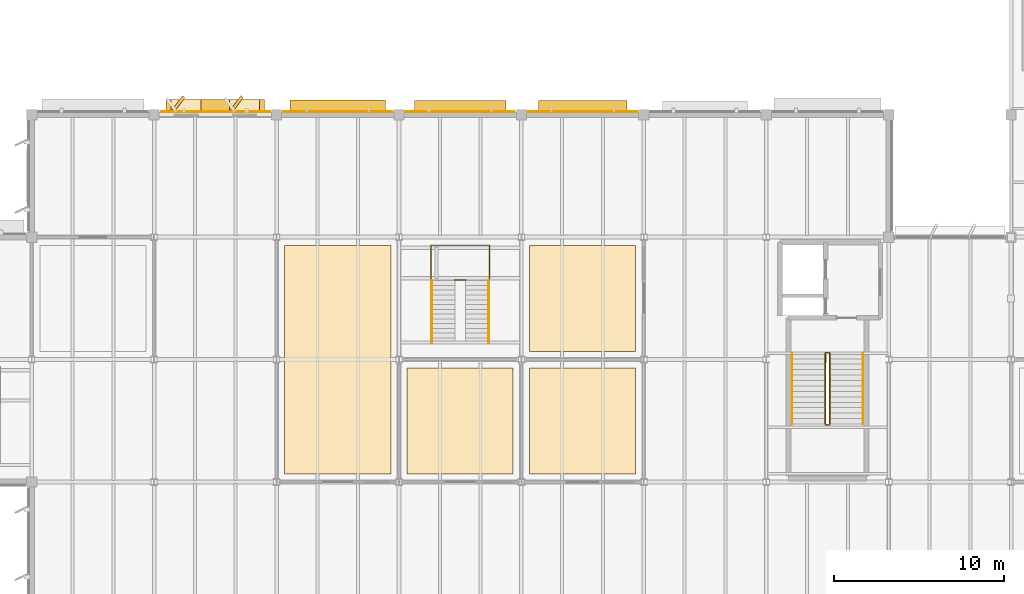
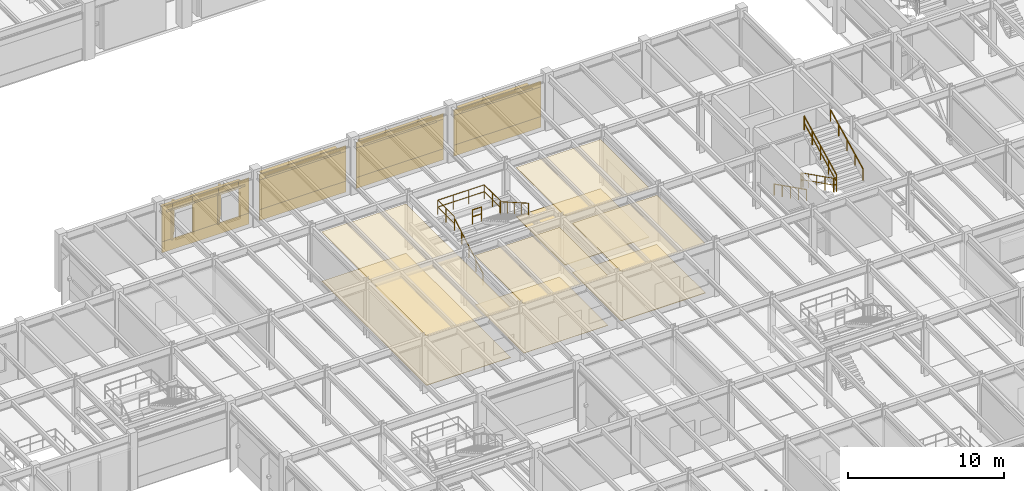
# One storey, part 83 of 92: 26 coverings, 10 railings, 4 shading devices.
"""IFC4 building model written with IfcOpenShell, lengths in metres."""

from ifc_helpers import new_model, si_unit, direction, frame, frame_2d, origin, origin_2d, place, context, subcontext, project, spatial, polyline, rectangle, circle, outline, extrude, material, layer, layer_set, type_object, element, save


model = new_model("IFC4")

# Units and contexts
model_context = context("Model", 3, precision=1e-05, world=origin(), true_north=direction((0.0, 1.0)))
body_context = subcontext(model_context, "Body", "Model", "MODEL_VIEW")
ifc_project = project(units=[si_unit("LENGTHUNIT", "METRE"), si_unit("AREAUNIT", "SQUARE_METRE"), si_unit("VOLUMEUNIT", "CUBIC_METRE"), si_unit("PLANEANGLEUNIT", "RADIAN"), si_unit("MASSUNIT", "GRAM", prefix="KILO")], contexts=[model_context])

# Site, building, storey
site_placement = place(None, origin())
site = spatial("IfcSite", under=ifc_project, at=site_placement, CompositionType="ELEMENT")
building_placement = place(site_placement, origin())
building = spatial("IfcBuilding", under=site, at=building_placement, Name="Sillqori Civic Hall", CompositionType="ELEMENT")
storey_placement = place(building_placement, frame((0.0, 0.0, 5.39990234375)))
storey = spatial("IfcBuildingStorey", under=building, at=storey_placement, Name="L02", CompositionType="ELEMENT", Elevation=5.39990234375)

# Coverings
ifc_material_1 = material(Name="Acoustic Gypsum Board Assembly 34", Category="gypsum")
ifc_layer_1 = layer(ifc_material_1, 0.033935546875)
ifc_layer_set_1 = layer_set([ifc_layer_1], Name="Acoustic Gypsum Board Assembly 34")
covering_type_1 = type_object("IfcCoveringType", Name="COV-CEIL-G34", PredefinedType="CEILING", material=ifc_layer_set_1)
covering_1_placement = place(storey_placement, frame((0.0, 0.0, 3.8671875)))
element("IfcCovering", 1, at=covering_1_placement, inside=storey, type_object=covering_type_1, Name="Public Notary and Apostille Verification Room L02-10 acoustic ceiling", PredefinedType="CEILING", context=body_context, shape_type="SweptSolid", body=[
    extrude(outline(polyline([(94.080078125, 36.47998046875), (100.320068359375, 36.47998046875), (100.320068359375, 42.719970703125), (94.080078125, 42.719970703125), (94.080078125, 36.47998046875)])), origin(), (0.0, 0.0, 1.0), 0.033935546875),
])
ifc_material_2 = material(Name="Perforated Acoustic Gypsum Board Ceiling", Category="gypsum")
ifc_layer_2 = layer(ifc_material_2, 0.030029296875)
ifc_layer_set_2 = layer_set([ifc_layer_2], Name="Perforated Acoustic Gypsum Board Ceiling")
covering_type_2 = type_object("IfcCoveringType", Name="COV-CEIL-GYP", PredefinedType="CEILING", material=ifc_layer_set_2)
covering_2_placement = place(storey_placement, frame((0.0, 0.0, 3.87109375)))
element("IfcCovering", 2, at=covering_2_placement, inside=storey, type_object=covering_type_2, Name="Public Notary and Apostille Verification Room acoustic ceiling", PredefinedType="CEILING", context=body_context, shape_type="SweptSolid", body=[
    extrude(outline(polyline([(79.679931640625, 36.47998046875), (85.919921875, 36.47998046875), (85.919921875, 49.919921875), (79.679931640625, 49.919921875), (79.679931640625, 36.47998046875)])), origin(), (0.0, 0.0, 1.0), 0.030029296875),
])
ifc_material_3 = material(Name="Mineral-Fibre High-NRC Tile Ceiling", Category="gypsum")
ifc_layer_3 = layer(ifc_material_3, 0.02392578125)
ifc_layer_set_3 = layer_set([ifc_layer_3], Name="Mineral-Fibre High-NRC Tile Ceiling")
covering_type_3 = type_object("IfcCoveringType", Name="COV-CEIL-MIN", PredefinedType="CEILING", material=ifc_layer_set_3)
covering_3_placement = place(storey_placement, frame((0.0, 0.0, 3.877197265625)))
element("IfcCovering", 3, at=covering_3_placement, inside=storey, type_object=covering_type_3, Name="Building Permits Technical Review Counter L02-07 acoustic ceiling", PredefinedType="CEILING", context=body_context, shape_type="SweptSolid", body=[
    extrude(outline(polyline([(86.8798828125, 36.47998046875), (93.1201171875, 36.47998046875), (93.1201171875, 42.719970703125), (86.8798828125, 42.719970703125), (86.8798828125, 36.47998046875)])), origin(), (0.0, 0.0, 1.0), 0.02392578125),
])
ifc_material_4 = material(Name="Andean Cedar Slatted Baffle 46", Category="timber")
ifc_layer_4 = layer(ifc_material_4, 0.0458984375)
ifc_layer_set_4 = layer_set([ifc_layer_4], Name="Andean Cedar Slatted Baffle 46")
covering_type_4 = type_object("IfcCoveringType", Name="COV-CEIL-T46", PredefinedType="CEILING", material=ifc_layer_set_4)
covering_4_placement = place(storey_placement, frame((0.0, 0.0, 3.85498046875)))
element("IfcCovering", 4, at=covering_4_placement, inside=storey, type_object=covering_type_4, Name="Citizens Tax and Property Assessment Suite L02-11 acoustic ceiling", PredefinedType="CEILING", context=body_context, shape_type="SweptSolid", body=[
    extrude(outline(polyline([(94.080078125, 43.679931640625), (100.320068359375, 43.679931640625), (100.320068359375, 49.919921875), (94.080078125, 49.919921875), (94.080078125, 43.679931640625)])), origin(), (0.0, 0.0, 1.0), 0.046142578125),
])
ifc_material_5 = material(Name="Cochabamba Honed Limestone Cladding", Category="masonry")
ifc_layer_5 = layer(ifc_material_5, 0.044921875)
ifc_layer_set_5 = layer_set([ifc_layer_5], Name="Cochabamba Honed Limestone Cladding")
covering_type_5 = type_object("IfcCoveringType", Name="COV-CLAD-LIME", PredefinedType="CLADDING", material=ifc_layer_set_5)
covering_5_placement = place(storey_placement, frame((72.3798828125, 57.780029296875, 0.0400390625), z_axis=(0.0, 0.0, 1.0), x_axis=(1.0, 0.0, 0.0)))
element("IfcCovering", 5, at=covering_5_placement, inside=storey, type_object=covering_type_5, Name="L02 limestone spandrel cladding L02-10-07-N", PredefinedType="CLADDING", context=body_context, shape_type="SweptSolid", body=[
    extrude(rectangle(XDim=6.440185546875, YDim=0.044921875, at=frame_2d((3.22021484375, 0.0))), origin(), (0.0, 0.0, 1.0), 0.860107421875),
])
covering_6_placement = place(storey_placement, frame((72.3798828125, 57.780029296875, 3.22021484375), z_axis=(0.0, 0.0, 1.0), x_axis=(1.0, 0.0, 0.0)))
element("IfcCovering", 6, at=covering_6_placement, inside=storey, type_object=covering_type_5, Name="L02 limestone frieze cladding L02-10-07-N", PredefinedType="CLADDING", context=body_context, shape_type="SweptSolid", body=[
    extrude(rectangle(XDim=6.440185546875, YDim=0.044921875, at=frame_2d((3.22021484375, 0.0))), origin(), (0.0, 0.0, 1.0), 0.43798828125),
])
covering_7_placement = place(storey_placement, frame((72.3798828125, 57.780029296875, 0.900146484375), z_axis=(0.0, 0.0, 1.0), x_axis=(1.0, 0.0, 0.0)))
element("IfcCovering", 7, at=covering_7_placement, inside=storey, type_object=covering_type_5, Name="L02 Wedge Hall limestone pier cladding L02-10-07-N.1", PredefinedType="CLADDING", context=body_context, shape_type="SweptSolid", body=[
    extrude(rectangle(XDim=0.76416015625, YDim=0.044921875, at=frame_2d((0.382080078125, 0.0))), origin(), (0.0, 0.0, 1.0), 2.758056640625),
])
covering_8_placement = place(storey_placement, frame((74.6240234375, 57.780029296875, 0.900146484375), z_axis=(0.0, 0.0, 1.0), x_axis=(1.0, 0.0, 0.0)))
element("IfcCovering", 8, at=covering_8_placement, inside=storey, type_object=covering_type_5, Name="L02 Wedge Hall limestone pier cladding L02-10-07-N.2", PredefinedType="CLADDING", context=body_context, shape_type="SweptSolid", body=[
    extrude(rectangle(XDim=1.951904296875, YDim=0.044921875, at=frame_2d((0.97607421875, 0.0))), origin(), (0.0, 0.0, 1.0), 2.758056640625),
])
covering_9_placement = place(storey_placement, frame((78.055908203125, 57.780029296875, 0.900146484375), z_axis=(0.0, 0.0, 1.0), x_axis=(1.0, 0.0, 0.0)))
element("IfcCovering", 9, at=covering_9_placement, inside=storey, type_object=covering_type_5, Name="L02 Wedge Hall limestone pier cladding L02-10-07-N.3", PredefinedType="CLADDING", context=body_context, shape_type="SweptSolid", body=[
    extrude(rectangle(XDim=0.76416015625, YDim=0.044921875, at=frame_2d((0.382080078125, 0.0))), origin(), (0.0, 0.0, 1.0), 2.758056640625),
])
covering_10_placement = place(storey_placement, frame((73.06396484375, 57.739990234375, 0.830078125), z_axis=(0.0, 0.0, 1.0), x_axis=(0.587805596445, 0.809002213092, 0.0)))
element("IfcCovering", 10, at=covering_10_placement, inside=storey, type_object=covering_type_5, Name="Sawtooth limestone angled reveal cheek L02-10-07-N.1", PredefinedType="CLADDING", context=body_context, shape_type="SweptSolid", body=[
    extrude(rectangle(XDim=1.150146484375, YDim=0.179931640625, at=frame_2d((0.5751953125, 0.0))), origin(), (0.0, 0.0, 1.0), 2.39990234375),
])
covering_11_placement = place(storey_placement, frame((73.00390625, 58.1201171875, 3.090087890625), z_axis=(0.0, 0.0, 1.0), x_axis=(1.0, 0.0, 0.0)))
element("IfcCovering", 11, at=covering_11_placement, inside=storey, type_object=covering_type_5, Name="Sawtooth limestone window hood L02-10-07-N.1", PredefinedType="CLADDING", context=body_context, shape_type="SweptSolid", body=[
    extrude(rectangle(XDim=1.760009765625, YDim=0.780029296875, at=frame_2d((0.8798828125, 0.0))), origin(), (0.0, 0.0, 1.0), 0.139892578125),
])
covering_12_placement = place(storey_placement, frame((76.49609375, 57.739990234375, 0.830078125), z_axis=(0.0, 0.0, 1.0), x_axis=(0.587805596445, 0.809002213092, 0.0)))
element("IfcCovering", 12, at=covering_12_placement, inside=storey, type_object=covering_type_5, Name="Sawtooth limestone angled reveal cheek L02-10-07-N.2", PredefinedType="CLADDING", context=body_context, shape_type="SweptSolid", body=[
    extrude(rectangle(XDim=1.150146484375, YDim=0.179931640625, at=frame_2d((0.5751953125, 0.0))), origin(), (0.0, 0.0, 1.0), 2.39990234375),
])
covering_13_placement = place(storey_placement, frame((76.43603515625, 58.1201171875, 3.090087890625), z_axis=(0.0, 0.0, 1.0), x_axis=(1.0, 0.0, 0.0)))
element("IfcCovering", 13, at=covering_13_placement, inside=storey, type_object=covering_type_5, Name="Sawtooth limestone window hood L02-10-07-N.2", PredefinedType="CLADDING", context=body_context, shape_type="SweptSolid", body=[
    extrude(rectangle(XDim=1.760009765625, YDim=0.780029296875, at=frame_2d((0.8798828125, 0.0))), origin(), (0.0, 0.0, 1.0), 0.139892578125),
])
covering_14_placement = place(storey_placement, frame((79.580078125, 57.780029296875, 0.0400390625), z_axis=(0.0, 0.0, 1.0), x_axis=(1.0, 0.0, 0.0)))
element("IfcCovering", 14, at=covering_14_placement, inside=storey, type_object=covering_type_5, Name="L02 limestone spandrel cladding L02-11-07-N", PredefinedType="CLADDING", context=body_context, shape_type="SweptSolid", body=[
    extrude(rectangle(XDim=6.43994140625, YDim=0.044921875, at=frame_2d((3.219970703125, 0.0))), origin(), (0.0, 0.0, 1.0), 0.860107421875),
])
covering_15_placement = place(storey_placement, frame((79.580078125, 57.780029296875, 3.22021484375), z_axis=(0.0, 0.0, 1.0), x_axis=(1.0, 0.0, 0.0)))
element("IfcCovering", 15, at=covering_15_placement, inside=storey, type_object=covering_type_5, Name="L02 limestone frieze cladding L02-11-07-N", PredefinedType="CLADDING", context=body_context, shape_type="SweptSolid", body=[
    extrude(rectangle(XDim=6.43994140625, YDim=0.044921875, at=frame_2d((3.219970703125, 0.0))), origin(), (0.0, 0.0, 1.0), 0.43798828125),
])
covering_16_placement = place(storey_placement, frame((79.580078125, 57.780029296875, 0.900146484375), z_axis=(0.0, 0.0, 1.0), x_axis=(1.0, 0.0, 0.0)))
element("IfcCovering", 16, at=covering_16_placement, inside=storey, type_object=covering_type_5, Name="L02 Wedge Hall limestone pier cladding L02-11-07-N.1", PredefinedType="CLADDING", context=body_context, shape_type="SweptSolid", body=[
    extrude(rectangle(XDim=6.43994140625, YDim=0.044921875, at=frame_2d((3.219970703125, 0.0))), origin(), (0.0, 0.0, 1.0), 2.758056640625),
])
covering_17_placement = place(storey_placement, frame((86.780029296875, 57.780029296875, 0.0400390625), z_axis=(0.0, 0.0, 1.0), x_axis=(1.0, 0.0, 0.0)))
element("IfcCovering", 17, at=covering_17_placement, inside=storey, type_object=covering_type_5, Name="L02 limestone spandrel cladding L02-12-07-N", PredefinedType="CLADDING", context=body_context, shape_type="SweptSolid", body=[
    extrude(rectangle(XDim=6.43994140625, YDim=0.044921875, at=frame_2d((3.219970703125, 0.0))), origin(), (0.0, 0.0, 1.0), 0.860107421875),
])
covering_18_placement = place(storey_placement, frame((86.780029296875, 57.780029296875, 3.22021484375), z_axis=(0.0, 0.0, 1.0), x_axis=(1.0, 0.0, 0.0)))
element("IfcCovering", 18, at=covering_18_placement, inside=storey, type_object=covering_type_5, Name="L02 limestone frieze cladding L02-12-07-N", PredefinedType="CLADDING", context=body_context, shape_type="SweptSolid", body=[
    extrude(rectangle(XDim=6.43994140625, YDim=0.044921875, at=frame_2d((3.219970703125, 0.0))), origin(), (0.0, 0.0, 1.0), 0.43798828125),
])
covering_19_placement = place(storey_placement, frame((86.780029296875, 57.780029296875, 0.900146484375), z_axis=(0.0, 0.0, 1.0), x_axis=(1.0, 0.0, 0.0)))
element("IfcCovering", 19, at=covering_19_placement, inside=storey, type_object=covering_type_5, Name="L02 Wedge Hall limestone pier cladding L02-12-07-N.1", PredefinedType="CLADDING", context=body_context, shape_type="SweptSolid", body=[
    extrude(rectangle(XDim=6.43994140625, YDim=0.044921875, at=frame_2d((3.219970703125, 0.0))), origin(), (0.0, 0.0, 1.0), 2.758056640625),
])
covering_20_placement = place(storey_placement, frame((93.97998046875, 57.780029296875, 0.0400390625), z_axis=(0.0, 0.0, 1.0), x_axis=(1.0, 0.0, 0.0)))
element("IfcCovering", 20, at=covering_20_placement, inside=storey, type_object=covering_type_5, Name="L02 limestone spandrel cladding L02-13-07-N", PredefinedType="CLADDING", context=body_context, shape_type="SweptSolid", body=[
    extrude(rectangle(XDim=6.43994140625, YDim=0.044921875, at=frame_2d((3.219970703125, 0.0))), origin(), (0.0, 0.0, 1.0), 0.860107421875),
])
covering_21_placement = place(storey_placement, frame((93.97998046875, 57.780029296875, 3.22021484375), z_axis=(0.0, 0.0, 1.0), x_axis=(1.0, 0.0, 0.0)))
element("IfcCovering", 21, at=covering_21_placement, inside=storey, type_object=covering_type_5, Name="L02 limestone frieze cladding L02-13-07-N", PredefinedType="CLADDING", context=body_context, shape_type="SweptSolid", body=[
    extrude(rectangle(XDim=6.43994140625, YDim=0.044921875, at=frame_2d((3.219970703125, 0.0))), origin(), (0.0, 0.0, 1.0), 0.43798828125),
])
covering_22_placement = place(storey_placement, frame((93.97998046875, 57.780029296875, 0.900146484375), z_axis=(0.0, 0.0, 1.0), x_axis=(1.0, 0.0, 0.0)))
element("IfcCovering", 22, at=covering_22_placement, inside=storey, type_object=covering_type_5, Name="L02 Wedge Hall limestone pier cladding L02-13-07-N.1", PredefinedType="CLADDING", context=body_context, shape_type="SweptSolid", body=[
    extrude(rectangle(XDim=6.43994140625, YDim=0.044921875, at=frame_2d((3.219970703125, 0.0))), origin(), (0.0, 0.0, 1.0), 2.758056640625),
])
ifc_material_6 = material(Name="Slip-Resistant R11 Porcelain Tile", Category="ceramic")
ifc_layer_6 = layer(ifc_material_6, 0.02001953125)
ifc_layer_set_6 = layer_set([ifc_layer_6], Name="Slip-Resistant R11 Porcelain Tile")
covering_type_6 = type_object("IfcCoveringType", Name="COV-FLR-POR", PredefinedType="FLOORING", material=ifc_layer_set_6)
covering_23_placement = place(storey_placement, origin())
element("IfcCovering", 23, at=covering_23_placement, inside=storey, type_object=covering_type_6, Name="Building Permits Technical Review Counter L02-07 floor finish", PredefinedType="FLOORING", context=body_context, shape_type="SweptSolid", body=[
    extrude(outline(polyline([(86.8798828125, 36.47998046875), (93.1201171875, 36.47998046875), (93.1201171875, 42.719970703125), (86.8798828125, 42.719970703125), (86.8798828125, 36.47998046875)])), origin(), (0.0, 0.0, 1.0), 0.02001953125),
])
ifc_material_7 = material(Name="Honed Comanche Sandstone Paving 44", Category="masonry")
ifc_layer_7 = layer(ifc_material_7, 0.0439453125)
ifc_layer_set_7 = layer_set([ifc_layer_7], Name="Honed Comanche Sandstone Paving 44")
covering_type_7 = type_object("IfcCoveringType", Name="COV-FLR-S44", PredefinedType="FLOORING", material=ifc_layer_set_7)
covering_24_placement = place(storey_placement, origin())
element("IfcCovering", 24, at=covering_24_placement, inside=storey, type_object=covering_type_7, Name="Public Notary and Apostille Verification Room L02-10 floor finish", PredefinedType="FLOORING", context=body_context, shape_type="SweptSolid", body=[
    extrude(outline(polyline([(94.080078125, 36.47998046875), (100.320068359375, 36.47998046875), (100.320068359375, 42.719970703125), (94.080078125, 42.719970703125), (94.080078125, 36.47998046875)])), origin(), (0.0, 0.0, 1.0), 0.044189453125),
])
ifc_material_8 = material(Name="Thick Ceremonial Limestone Flagstone 50", Category="masonry")
ifc_layer_8 = layer(ifc_material_8, 0.050048828125)
ifc_layer_set_8 = layer_set([ifc_layer_8], Name="Thick Ceremonial Limestone Flagstone 50")
covering_type_8 = type_object("IfcCoveringType", Name="COV-FLR-S50", PredefinedType="FLOORING", material=ifc_layer_set_8)
covering_25_placement = place(storey_placement, origin())
element("IfcCovering", 25, at=covering_25_placement, inside=storey, type_object=covering_type_8, Name="Citizens Tax and Property Assessment Suite L02-11 floor finish", PredefinedType="FLOORING", context=body_context, shape_type="SweptSolid", body=[
    extrude(outline(polyline([(94.080078125, 43.679931640625), (100.320068359375, 43.679931640625), (100.320068359375, 49.919921875), (94.080078125, 49.919921875), (94.080078125, 43.679931640625)])), origin(), (0.0, 0.0, 1.0), 0.050048828125),
])
ifc_material_9 = material(Name="Honed Cochabamba Limestone Terrazzo", Category="masonry")
ifc_layer_9 = layer(ifc_material_9, 0.031982421875)
ifc_layer_set_9 = layer_set([ifc_layer_9], Name="Honed Cochabamba Limestone Terrazzo")
covering_type_9 = type_object("IfcCoveringType", Name="COV-FLR-TRZ", PredefinedType="FLOORING", material=ifc_layer_set_9)
covering_26_placement = place(storey_placement, origin())
element("IfcCovering", 26, at=covering_26_placement, inside=storey, type_object=covering_type_9, Name="Public Notary and Apostille Verification Room floor finish", PredefinedType="FLOORING", context=body_context, shape_type="SweptSolid", body=[
    extrude(outline(polyline([(79.679931640625, 36.47998046875), (85.919921875, 36.47998046875), (85.919921875, 49.919921875), (79.679931640625, 49.919921875), (79.679931640625, 36.47998046875)])), origin(), (0.0, 0.0, 1.0), 0.031982421875),
])

# Railings
ifc_material_10 = material(Name="Brushed Stainless Steel 316 Handrail", Category="steel")
ifc_layer_10 = layer(ifc_material_10, 0.044921875)
ifc_layer_set_10 = layer_set([ifc_layer_10], Name="Brushed Stainless Steel 316 Handrail")
railing_type_1 = type_object("IfcRailingType", Name="RLG-CORE-092", PredefinedType="HANDRAIL", material=ifc_layer_set_10)
railing_1_placement = place(storey_placement, frame((109.510009765625, 43.570068359375, 0.160888671875)))
element("IfcRailing", 27, at=railing_1_placement, inside=storey, type_object=railing_type_1, Name="L02 ST-03 stair handrail 1", PredefinedType="HANDRAIL", context=body_context, shape_type="SweptSolid", body=[
    extrude(circle(Radius=0.02392578125, at=origin_2d()), frame((0.0, 0.0, 0.8759765625), z_axis=(0.0, -0.893649669291, 0.448765271134), x_axis=(1.0, 0.0, 0.0)), (0.0, 0.0, 1.0), 4.6552734375),
    extrude(circle(Radius=0.02099609375, at=origin_2d()), origin(), (0.0, 0.0, 1.0), 0.851806640625),
    extrude(circle(Radius=0.02099609375, at=origin_2d()), frame((0.0, -1.0400390625, 0.522216796875)), (0.0, 0.0, 1.0), 0.851806640625),
    extrude(circle(Radius=0.02099609375, at=origin_2d()), frame((0.0, -2.080078125, 1.04443359375)), (0.0, 0.0, 1.0), 0.851806640625),
    extrude(circle(Radius=0.02099609375, at=origin_2d()), frame((0.0, -3.1201171875, 1.56689453125)), (0.0, 0.0, 1.0), 0.851806640625),
    extrude(circle(Radius=0.02099609375, at=origin_2d()), frame((0.0, -4.16015625, 2.089111328125)), (0.0, 0.0, 1.0), 0.851806640625),
])
railing_2_placement = place(storey_placement, frame((113.68994140625, 39.409912109375, 2.410888671875)))
element("IfcRailing", 28, at=railing_2_placement, inside=storey, type_object=railing_type_1, Name="L02 ST-03 stair handrail 2", PredefinedType="HANDRAIL", context=body_context, shape_type="SweptSolid", body=[
    extrude(circle(Radius=0.02392578125, at=origin_2d()), frame((0.0, 0.0, 0.8759765625), z_axis=(0.0, 0.893649669291, 0.448765271134), x_axis=(-1.0, 0.0, 0.0)), (0.0, 0.0, 1.0), 4.6552734375),
    extrude(circle(Radius=0.02099609375, at=origin_2d()), origin(), (0.0, 0.0, 1.0), 0.851806640625),
    extrude(circle(Radius=0.02099609375, at=origin_2d()), frame((0.0, 1.0400390625, 0.522216796875)), (0.0, 0.0, 1.0), 0.851806640625),
    extrude(circle(Radius=0.02099609375, at=origin_2d()), frame((0.0, 2.080078125, 1.04443359375)), (0.0, 0.0, 1.0), 0.851806640625),
    extrude(circle(Radius=0.02099609375, at=origin_2d()), frame((0.0, 3.1201171875, 1.56689453125)), (0.0, 0.0, 1.0), 0.851806640625),
    extrude(circle(Radius=0.02099609375, at=origin_2d()), frame((0.0, 4.16015625, 2.089111328125)), (0.0, 0.0, 1.0), 0.851806640625),
])
railing_3_placement = place(storey_placement, frame((88.320068359375, 44.199951171875, 0.160888671875)))
element("IfcRailing", 29, at=railing_3_placement, inside=storey, type_object=railing_type_1, Name="Citizens Hall North Gallery Stair L02-L03 handrail W", PredefinedType="HANDRAIL", context=body_context, shape_type="SweptSolid", body=[
    extrude(circle(Radius=0.02392578125, at=origin_2d()), frame((0.0, 0.0, 0.89599609375), z_axis=(0.0, 0.867314486057, 0.497760567216), x_axis=(-1.0, 0.0, 0.0)), (0.0, 0.0, 1.0), 4.197021484375),
    extrude(circle(Radius=0.02099609375, at=origin_2d()), origin(), (0.0, 0.0, 1.0), 0.871826171875),
    extrude(circle(Radius=0.02099609375, at=origin_2d()), frame((0.0, 0.91015625, 0.522216796875)), (0.0, 0.0, 1.0), 0.871826171875),
    extrude(circle(Radius=0.02099609375, at=origin_2d()), frame((0.0, 1.820068359375, 1.04443359375)), (0.0, 0.0, 1.0), 0.871826171875),
    extrude(circle(Radius=0.02099609375, at=origin_2d()), frame((0.0, 2.72998046875, 1.56689453125)), (0.0, 0.0, 1.0), 0.871826171875),
    extrude(circle(Radius=0.02099609375, at=origin_2d()), frame((0.0, 3.64013671875, 2.089111328125)), (0.0, 0.0, 1.0), 0.871826171875),
])
railing_4_placement = place(storey_placement, frame((91.679931640625, 47.840087890625, 2.410888671875)))
element("IfcRailing", 30, at=railing_4_placement, inside=storey, type_object=railing_type_1, Name="Citizens Hall North Gallery Stair L02-L03 handrail E", PredefinedType="HANDRAIL", context=body_context, shape_type="SweptSolid", body=[
    extrude(circle(Radius=0.02392578125, at=origin_2d()), frame((0.0, 0.0, 0.89599609375), z_axis=(0.0, -0.867314486057, 0.497760567216), x_axis=(1.0, 0.0, 0.0)), (0.0, 0.0, 1.0), 4.197021484375),
    extrude(circle(Radius=0.02099609375, at=origin_2d()), origin(), (0.0, 0.0, 1.0), 0.871826171875),
    extrude(circle(Radius=0.02099609375, at=origin_2d()), frame((0.0, -0.91015625, 0.522216796875)), (0.0, 0.0, 1.0), 0.871826171875),
    extrude(circle(Radius=0.02099609375, at=origin_2d()), frame((0.0, -1.820068359375, 1.04443359375)), (0.0, 0.0, 1.0), 0.871826171875),
    extrude(circle(Radius=0.02099609375, at=origin_2d()), frame((0.0, -2.72998046875, 1.56689453125)), (0.0, 0.0, 1.0), 0.871826171875),
    extrude(circle(Radius=0.02099609375, at=origin_2d()), frame((0.0, -3.64013671875, 2.089111328125)), (0.0, 0.0, 1.0), 0.871826171875),
])
ifc_material_11 = material(Name="Galvanized Painted Steel Guardrail", Category="steel")
ifc_layer_11 = layer(ifc_material_11, 0.050048828125)
ifc_layer_set_11 = layer_set([ifc_layer_11], Name="Galvanized Painted Steel Guardrail")
railing_type_2 = type_object("IfcRailingType", Name="RLG-CORE-110", PredefinedType="GUARDRAIL", material=ifc_layer_set_11)
railing_5_placement = place(storey_placement, frame((111.469970703125, 43.570068359375, 0.160888671875)))
element("IfcRailing", 31, at=railing_5_placement, inside=storey, type_object=railing_type_2, Name="L02 ST-03 stair guard 1", PredefinedType="GUARDRAIL", context=body_context, shape_type="SweptSolid", body=[
    extrude(circle(Radius=0.02392578125, at=origin_2d()), frame((0.0, 0.0, 1.076171875), z_axis=(0.0, -0.893649669291, 0.448765271134), x_axis=(1.0, 0.0, 0.0)), (0.0, 0.0, 1.0), 4.6552734375),
    extrude(circle(Radius=0.02392578125, at=origin_2d()), frame((0.0, 0.0, 0.550048828125), z_axis=(0.0, -0.893649669291, 0.448765271134), x_axis=(1.0, 0.0, 0.0)), (0.0, 0.0, 1.0), 4.6552734375),
    extrude(circle(Radius=0.02099609375, at=origin_2d()), origin(), (0.0, 0.0, 1.0), 1.052001953125),
    extrude(circle(Radius=0.02099609375, at=origin_2d()), frame((0.0, -1.0400390625, 0.522216796875)), (0.0, 0.0, 1.0), 1.052001953125),
    extrude(circle(Radius=0.02099609375, at=origin_2d()), frame((0.0, -2.080078125, 1.04443359375)), (0.0, 0.0, 1.0), 1.052001953125),
    extrude(circle(Radius=0.02099609375, at=origin_2d()), frame((0.0, -3.1201171875, 1.56689453125)), (0.0, 0.0, 1.0), 1.052001953125),
    extrude(circle(Radius=0.02099609375, at=origin_2d()), frame((0.0, -4.16015625, 2.089111328125)), (0.0, 0.0, 1.0), 1.052001953125),
])
railing_6_placement = place(storey_placement, frame((111.52001953125, 39.360107421875, 2.25)))
element("IfcRailing", 32, at=railing_6_placement, inside=storey, type_object=railing_type_2, Name="L02 ST-03 stair guard 2", PredefinedType="GUARDRAIL", context=body_context, shape_type="SweptSolid", body=[
    extrude(circle(Radius=0.02392578125, at=origin_2d()), frame((0.0, 0.0, 1.076171875), z_axis=(1.0, 0.0, 0.0), x_axis=(0.0, 1.0, 0.0)), (0.0, 0.0, 1.0), 0.159912109375),
    extrude(circle(Radius=0.02392578125, at=origin_2d()), frame((0.0, 0.0, 0.550048828125), z_axis=(1.0, 0.0, 0.0), x_axis=(0.0, 1.0, 0.0)), (0.0, 0.0, 1.0), 0.159912109375),
    extrude(circle(Radius=0.02099609375, at=origin_2d()), origin(), (0.0, 0.0, 1.0), 1.052001953125),
    extrude(circle(Radius=0.02099609375, at=origin_2d()), frame((0.159912109375, 0.0, 0.0)), (0.0, 0.0, 1.0), 1.052001953125),
])
railing_7_placement = place(storey_placement, frame((111.72998046875, 39.409912109375, 2.410888671875)))
element("IfcRailing", 33, at=railing_7_placement, inside=storey, type_object=railing_type_2, Name="L02 ST-03 stair guard 3", PredefinedType="GUARDRAIL", context=body_context, shape_type="SweptSolid", body=[
    extrude(circle(Radius=0.02392578125, at=origin_2d()), frame((0.0, 0.0, 1.076171875), z_axis=(0.0, 0.893649669291, 0.448765271134), x_axis=(-1.0, 0.0, 0.0)), (0.0, 0.0, 1.0), 4.6552734375),
    extrude(circle(Radius=0.02392578125, at=origin_2d()), frame((0.0, 0.0, 0.550048828125), z_axis=(0.0, 0.893649669291, 0.448765271134), x_axis=(-1.0, 0.0, 0.0)), (0.0, 0.0, 1.0), 4.6552734375),
    extrude(circle(Radius=0.02099609375, at=origin_2d()), origin(), (0.0, 0.0, 1.0), 1.052001953125),
    extrude(circle(Radius=0.02099609375, at=origin_2d()), frame((0.0, 1.0400390625, 0.522216796875)), (0.0, 0.0, 1.0), 1.052001953125),
    extrude(circle(Radius=0.02099609375, at=origin_2d()), frame((0.0, 2.080078125, 1.04443359375)), (0.0, 0.0, 1.0), 1.052001953125),
    extrude(circle(Radius=0.02099609375, at=origin_2d()), frame((0.0, 3.1201171875, 1.56689453125)), (0.0, 0.0, 1.0), 1.052001953125),
    extrude(circle(Radius=0.02099609375, at=origin_2d()), frame((0.0, 4.16015625, 2.089111328125)), (0.0, 0.0, 1.0), 1.052001953125),
])
railing_8_placement = place(storey_placement, frame((111.52001953125, 43.6201171875, 0.0)))
element("IfcRailing", 34, at=railing_8_placement, inside=storey, type_object=railing_type_2, Name="L02 ST-03 stair guard 4", PredefinedType="GUARDRAIL", context=body_context, shape_type="SweptSolid", body=[
    extrude(circle(Radius=0.02392578125, at=origin_2d()), frame((0.0, 0.0, 1.076171875), z_axis=(1.0, 0.0, 0.0), x_axis=(0.0, 1.0, 0.0)), (0.0, 0.0, 1.0), 0.159912109375),
    extrude(circle(Radius=0.02392578125, at=origin_2d()), frame((0.0, 0.0, 0.550048828125), z_axis=(1.0, 0.0, 0.0), x_axis=(0.0, 1.0, 0.0)), (0.0, 0.0, 1.0), 0.159912109375),
    extrude(circle(Radius=0.02099609375, at=origin_2d()), origin(), (0.0, 0.0, 1.0), 1.052001953125),
    extrude(circle(Radius=0.02099609375, at=origin_2d()), frame((0.159912109375, 0.0, 0.0)), (0.0, 0.0, 1.0), 1.052001953125),
])
ifc_material_12 = material(Name="Stainless Steel 316 and Laminated Balustrade", Category="steel")
ifc_layer_12 = layer(ifc_material_12, 0.06005859375)
ifc_layer_set_12 = layer_set([ifc_layer_12], Name="Stainless Steel 316 and Laminated Balustrade")
railing_type_3 = type_object("IfcRailingType", Name="RLG-TERR-112", PredefinedType="GUARDRAIL", material=ifc_layer_set_12)
railing_9_placement = place(storey_placement, frame((88.280029296875, 47.840087890625, 2.25)))
element("IfcRailing", 35, at=railing_9_placement, inside=storey, type_object=railing_type_3, Name="Citizens Hall North Gallery Stair L02-L03 half-landing guard", PredefinedType="GUARDRAIL", context=body_context, shape_type="SweptSolid", body=[
    extrude(circle(Radius=0.02392578125, at=origin_2d()), frame((0.0, 0.0, 1.09619140625), z_axis=(0.0, 1.0, 0.0), x_axis=(-1.0, 0.0, 0.0)), (0.0, 0.0, 1.0), 2.08984375),
    extrude(circle(Radius=0.02392578125, at=origin_2d()), frame((0.0, 0.0, 0.56005859375), z_axis=(0.0, 1.0, 0.0), x_axis=(-1.0, 0.0, 0.0)), (0.0, 0.0, 1.0), 2.08984375),
    extrude(circle(Radius=0.02392578125, at=origin_2d()), frame((0.0, 2.08984375, 1.09619140625), z_axis=(1.0, 0.0, 0.0), x_axis=(0.0, 1.0, 0.0)), (0.0, 0.0, 1.0), 3.43994140625),
    extrude(circle(Radius=0.02392578125, at=origin_2d()), frame((0.0, 2.08984375, 0.56005859375), z_axis=(1.0, 0.0, 0.0), x_axis=(0.0, 1.0, 0.0)), (0.0, 0.0, 1.0), 3.43994140625),
    extrude(circle(Radius=0.02392578125, at=origin_2d()), frame((3.43994140625, 2.08984375, 1.09619140625), z_axis=(0.0, -1.0, 0.0), x_axis=(1.0, 0.0, 0.0)), (0.0, 0.0, 1.0), 2.08984375),
    extrude(circle(Radius=0.02392578125, at=origin_2d()), frame((3.43994140625, 2.08984375, 0.56005859375), z_axis=(0.0, -1.0, 0.0), x_axis=(1.0, 0.0, 0.0)), (0.0, 0.0, 1.0), 2.08984375),
    extrude(circle(Radius=0.02099609375, at=origin_2d()), origin(), (0.0, 0.0, 1.0), 1.072021484375),
    extrude(circle(Radius=0.02099609375, at=origin_2d()), frame((0.0, 1.044921875, 0.0)), (0.0, 0.0, 1.0), 1.072021484375),
    extrude(circle(Radius=0.02099609375, at=origin_2d()), frame((0.0, 2.08984375, 0.0)), (0.0, 0.0, 1.0), 1.072021484375),
    extrude(circle(Radius=0.02099609375, at=origin_2d()), frame((1.146728515625, 2.08984375, 0.0)), (0.0, 0.0, 1.0), 1.072021484375),
    extrude(circle(Radius=0.02099609375, at=origin_2d()), frame((2.293212890625, 2.08984375, 0.0)), (0.0, 0.0, 1.0), 1.072021484375),
    extrude(circle(Radius=0.02099609375, at=origin_2d()), frame((3.43994140625, 2.08984375, 0.0)), (0.0, 0.0, 1.0), 1.072021484375),
    extrude(circle(Radius=0.02099609375, at=origin_2d()), frame((3.43994140625, 1.044921875, 0.0)), (0.0, 0.0, 1.0), 1.072021484375),
    extrude(circle(Radius=0.02099609375, at=origin_2d()), frame((3.43994140625, 0.0, 0.0)), (0.0, 0.0, 1.0), 1.072021484375),
])
railing_10_placement = place(storey_placement, frame((89.659912109375, 47.8798828125, 2.25)))
element("IfcRailing", 36, at=railing_10_placement, inside=storey, type_object=railing_type_3, Name="Citizens Hall North Gallery Stair L02-L03 half-landing inner well guard", PredefinedType="GUARDRAIL", context=body_context, shape_type="SweptSolid", body=[
    extrude(circle(Radius=0.02392578125, at=origin_2d()), frame((0.0, 0.0, 1.09619140625), z_axis=(1.0, 0.0, 0.0), x_axis=(0.0, 1.0, 0.0)), (0.0, 0.0, 1.0), 0.68017578125),
    extrude(circle(Radius=0.02392578125, at=origin_2d()), frame((0.0, 0.0, 0.56005859375), z_axis=(1.0, 0.0, 0.0), x_axis=(0.0, 1.0, 0.0)), (0.0, 0.0, 1.0), 0.68017578125),
    extrude(circle(Radius=0.02099609375, at=origin_2d()), origin(), (0.0, 0.0, 1.0), 1.072021484375),
    extrude(circle(Radius=0.02099609375, at=origin_2d()), frame((0.68017578125, 0.0, 0.0)), (0.0, 0.0, 1.0), 1.072021484375),
])

# Shading devices
ifc_material_13 = material(Name="Anodized Aluminium Solar Control Louvre", Category="aluminium")
shading_device_type_1 = type_object("IfcShadingDeviceType", Name="SHD-HOOD-520", PredefinedType="JALOUSIE", material=ifc_material_13)
shading_device_1_placement = place(storey_placement, frame((97.199951171875, 58.0849609375, 3.22021484375), z_axis=(0.0, 0.0, 1.0), x_axis=(1.0, 0.0, 0.0)))
element("IfcShadingDevice", 37, at=shading_device_1_placement, inside=storey, type_object=shading_device_type_1, Name="L02 north solar hood L02-13-07-N", PredefinedType="JALOUSIE", context=body_context, shape_type="SweptSolid", body=[
    extrude(rectangle(XDim=5.199951171875, YDim=0.679931640625, at=origin_2d()), origin(), (0.0, 0.0, 1.0), 0.139892578125),
])
shading_device_type_2 = type_object("IfcShadingDeviceType", Name="SHD-HOOD-540", PredefinedType="JALOUSIE", material=ifc_material_13)
shading_device_2_placement = place(storey_placement, frame((90.0, 58.094970703125, 3.169921875), z_axis=(0.0, 0.0, 1.0), x_axis=(1.0, 0.0, 0.0)))
element("IfcShadingDevice", 38, at=shading_device_2_placement, inside=storey, type_object=shading_device_type_2, Name="L02 north solar hood L02-12-07-N", PredefinedType="JALOUSIE", context=body_context, shape_type="SweptSolid", body=[
    extrude(rectangle(XDim=5.39990234375, YDim=0.699951171875, at=origin_2d()), origin(), (0.0, 0.0, 1.0), 0.139892578125),
])
shading_device_type_3 = type_object("IfcShadingDeviceType", Name="SHD-HOOD-560", PredefinedType="JALOUSIE", material=ifc_material_13)
shading_device_3_placement = place(storey_placement, frame((82.800048828125, 58.10498046875, 3.22021484375), z_axis=(0.0, 0.0, 1.0), x_axis=(1.0, 0.0, 0.0)))
element("IfcShadingDevice", 39, at=shading_device_3_placement, inside=storey, type_object=shading_device_type_3, Name="L02 north solar hood L02-11-07-N", PredefinedType="JALOUSIE", context=body_context, shape_type="SweptSolid", body=[
    extrude(rectangle(XDim=5.60009765625, YDim=0.719970703125, at=origin_2d()), origin(), (0.0, 0.0, 1.0), 0.139892578125),
])
shading_device_type_4 = type_object("IfcShadingDeviceType", Name="SHD-HOOD-580", PredefinedType="JALOUSIE", material=ifc_material_13)
shading_device_4_placement = place(storey_placement, frame((75.60009765625, 58.1201171875, 3.1201171875), z_axis=(0.0, 0.0, 1.0), x_axis=(1.0, 0.0, 0.0)))
element("IfcShadingDevice", 40, at=shading_device_4_placement, inside=storey, type_object=shading_device_type_4, Name="L02 north solar hood L02-10-07-N", PredefinedType="JALOUSIE", context=body_context, shape_type="SweptSolid", body=[
    extrude(rectangle(XDim=5.800048828125, YDim=0.75, at=origin_2d()), origin(), (0.0, 0.0, 1.0), 0.139892578125),
])

save(model, "model.ifc")
